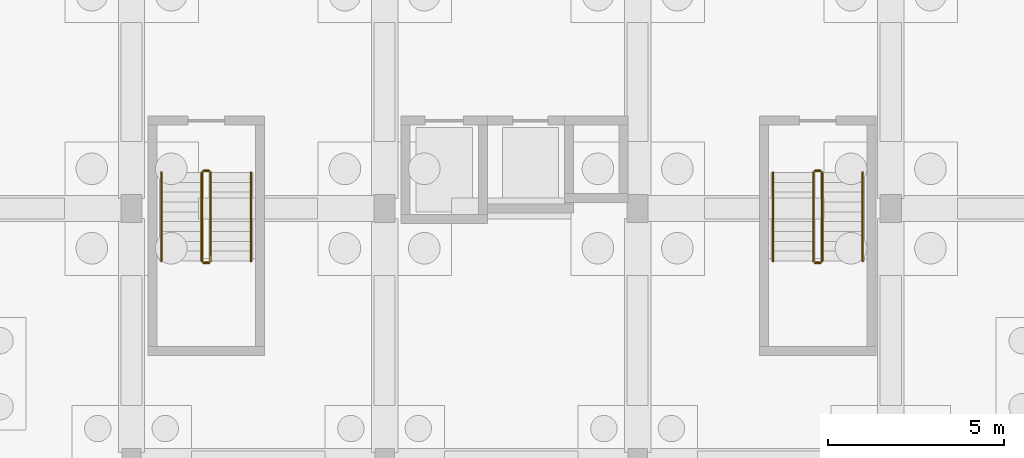
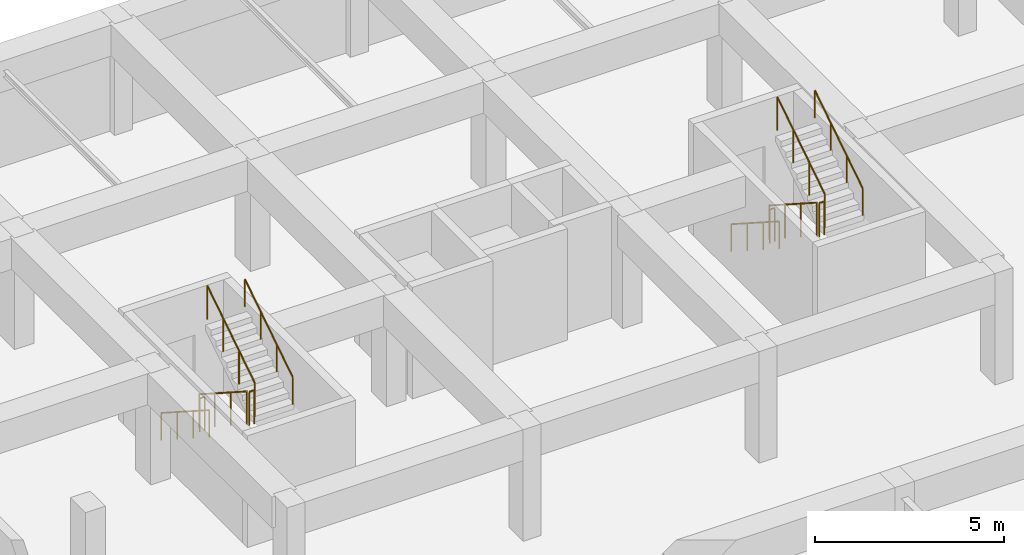
# One storey, part 33 of 36: 12 railings.
"""IFC4 building model written with IfcOpenShell, lengths in metres."""

from ifc_helpers import new_model, si_unit, direction, frame, origin, origin_2d, place, context, subcontext, project, spatial, circle, extrude, material, type_object, element, save


model = new_model("IFC4")

# Units and contexts
model_context = context("Model", 3, precision=1e-05, world=origin(), true_north=direction((0.0, 1.0)))
body_context = subcontext(model_context, "Body", "Model", "MODEL_VIEW")
ifc_project = project(units=[si_unit("LENGTHUNIT", "METRE"), si_unit("AREAUNIT", "SQUARE_METRE"), si_unit("VOLUMEUNIT", "CUBIC_METRE"), si_unit("PLANEANGLEUNIT", "RADIAN"), si_unit("MASSUNIT", "GRAM", prefix="KILO")], contexts=[model_context])

# Site, building, storey
site_placement = place(None, origin())
site = spatial("IfcSite", under=ifc_project, at=site_placement, CompositionType="ELEMENT")
building_placement = place(site_placement, origin())
building = spatial("IfcBuilding", under=site, at=building_placement, Name="Ochrevale Crest", CompositionType="ELEMENT")
storey_placement = place(building_placement, frame((0.0, 0.0, -3.60009765625)))
storey = spatial("IfcBuildingStorey", under=building, at=storey_placement, Name="B1", CompositionType="ELEMENT", Elevation=-3.60009765625)

# Railings
ifc_material_1 = material(Name="Galvanised steel", Category="steel")
railing_type_1 = type_object("IfcRailingType", Name="RL-ST-GUARD", PredefinedType="BALUSTRADE", material=ifc_material_1)
railing_1_placement = place(storey_placement, frame((9.199951171875, 80.22509765625, 0.18017578125)))
element("IfcRailing", 1, at=railing_1_placement, inside=storey, type_object=railing_type_1, Name="B1 ST-B1 stair guard 1", PredefinedType="BALUSTRADE", context=body_context, shape_type="SweptSolid", body=[
    extrude(circle(Radius=0.02392578125, at=origin_2d()), frame((0.0, 0.0, 1.076171875), z_axis=(0.0, -0.841199657755, 0.540724639528), x_axis=(1.0, 0.0, 0.0)), (0.0, 0.0, 1.0), 2.995849609375),
    extrude(circle(Radius=0.02099609375, at=origin_2d()), origin(), (0.0, 0.0, 1.0), 1.052001953125),
    extrude(circle(Radius=0.02099609375, at=origin_2d()), frame((0.0, -0.840087890625, 0.5400390625)), (0.0, 0.0, 1.0), 1.052001953125),
    extrude(circle(Radius=0.02099609375, at=origin_2d()), frame((0.0, -1.679931640625, 1.079833984375)), (0.0, 0.0, 1.0), 1.052001953125),
    extrude(circle(Radius=0.02099609375, at=origin_2d()), frame((0.0, -2.52001953125, 1.619873046875)), (0.0, 0.0, 1.0), 1.052001953125),
])
railing_2_placement = place(storey_placement, frame((9.25, 77.655029296875, 1.800048828125)))
element("IfcRailing", 2, at=railing_2_placement, inside=storey, type_object=railing_type_1, Name="B1 ST-B1 stair guard 2", PredefinedType="BALUSTRADE", context=body_context, shape_type="SweptSolid", body=[
    extrude(circle(Radius=0.02392578125, at=origin_2d()), frame((0.0, 0.0, 1.076171875), z_axis=(1.0, 0.0, 0.0), x_axis=(0.0, 1.0, 0.0)), (0.0, 0.0, 1.0), 0.14990234375),
    extrude(circle(Radius=0.02099609375, at=origin_2d()), origin(), (0.0, 0.0, 1.0), 1.052001953125),
    extrude(circle(Radius=0.02099609375, at=origin_2d()), frame((0.14990234375, 0.0, 0.0)), (0.0, 0.0, 1.0), 1.052001953125),
])
railing_3_placement = place(storey_placement, frame((9.449951171875, 77.705078125, 1.97998046875)))
element("IfcRailing", 3, at=railing_3_placement, inside=storey, type_object=railing_type_1, Name="B1 ST-B1 stair guard 3", PredefinedType="BALUSTRADE", context=body_context, shape_type="SweptSolid", body=[
    extrude(circle(Radius=0.02392578125, at=origin_2d()), frame((0.0, 0.0, 1.076171875), z_axis=(0.0, 0.841162588446, 0.540782303519), x_axis=(-1.0, 0.0, 0.0)), (0.0, 0.0, 1.0), 2.995849609375),
    extrude(circle(Radius=0.02099609375, at=origin_2d()), origin(), (0.0, 0.0, 1.0), 1.052001953125),
    extrude(circle(Radius=0.02099609375, at=origin_2d()), frame((0.0, 0.840087890625, 0.5400390625)), (0.0, 0.0, 1.0), 1.052001953125),
    extrude(circle(Radius=0.02099609375, at=origin_2d()), frame((0.0, 1.679931640625, 1.080078125)), (0.0, 0.0, 1.0), 1.052001953125),
    extrude(circle(Radius=0.02099609375, at=origin_2d()), frame((0.0, 2.52001953125, 1.6201171875)), (0.0, 0.0, 1.0), 1.052001953125),
])
railing_4_placement = place(storey_placement, frame((9.25, 80.27490234375, 0.0)))
element("IfcRailing", 4, at=railing_4_placement, inside=storey, type_object=railing_type_1, Name="B1 ST-B1 stair guard 4", PredefinedType="BALUSTRADE", context=body_context, shape_type="SweptSolid", body=[
    extrude(circle(Radius=0.02392578125, at=origin_2d()), frame((0.0, 0.0, 1.076171875), z_axis=(1.0, 0.0, 0.0), x_axis=(0.0, 1.0, 0.0)), (0.0, 0.0, 1.0), 0.14990234375),
    extrude(circle(Radius=0.02099609375, at=origin_2d()), origin(), (0.0, 0.0, 1.0), 1.052001953125),
    extrude(circle(Radius=0.02099609375, at=origin_2d()), frame((0.14990234375, 0.0, 0.0)), (0.0, 0.0, 1.0), 1.052001953125),
])
railing_5_placement = place(storey_placement, frame((26.60009765625, 80.22509765625, 0.18017578125)))
element("IfcRailing", 5, at=railing_5_placement, inside=storey, type_object=railing_type_1, Name="B1 ST-B2 stair guard 1", PredefinedType="BALUSTRADE", context=body_context, shape_type="SweptSolid", body=[
    extrude(circle(Radius=0.02392578125, at=origin_2d()), frame((0.0, 0.0, 1.076171875), z_axis=(0.0, -0.841199657755, 0.540724639528), x_axis=(1.0, 0.0, 0.0)), (0.0, 0.0, 1.0), 2.995849609375),
    extrude(circle(Radius=0.02099609375, at=origin_2d()), origin(), (0.0, 0.0, 1.0), 1.052001953125),
    extrude(circle(Radius=0.02099609375, at=origin_2d()), frame((0.0, -0.840087890625, 0.5400390625)), (0.0, 0.0, 1.0), 1.052001953125),
    extrude(circle(Radius=0.02099609375, at=origin_2d()), frame((0.0, -1.679931640625, 1.079833984375)), (0.0, 0.0, 1.0), 1.052001953125),
    extrude(circle(Radius=0.02099609375, at=origin_2d()), frame((0.0, -2.52001953125, 1.619873046875)), (0.0, 0.0, 1.0), 1.052001953125),
])
railing_6_placement = place(storey_placement, frame((26.64990234375, 77.655029296875, 1.800048828125)))
element("IfcRailing", 6, at=railing_6_placement, inside=storey, type_object=railing_type_1, Name="B1 ST-B2 stair guard 2", PredefinedType="BALUSTRADE", context=body_context, shape_type="SweptSolid", body=[
    extrude(circle(Radius=0.02392578125, at=origin_2d()), frame((0.0, 0.0, 1.076171875), z_axis=(1.0, 0.0, 0.0), x_axis=(0.0, 1.0, 0.0)), (0.0, 0.0, 1.0), 0.150146484375),
    extrude(circle(Radius=0.02099609375, at=origin_2d()), origin(), (0.0, 0.0, 1.0), 1.052001953125),
    extrude(circle(Radius=0.02099609375, at=origin_2d()), frame((0.150146484375, 0.0, 0.0)), (0.0, 0.0, 1.0), 1.052001953125),
])
railing_7_placement = place(storey_placement, frame((26.85009765625, 77.705078125, 1.97998046875)))
element("IfcRailing", 7, at=railing_7_placement, inside=storey, type_object=railing_type_1, Name="B1 ST-B2 stair guard 3", PredefinedType="BALUSTRADE", context=body_context, shape_type="SweptSolid", body=[
    extrude(circle(Radius=0.02392578125, at=origin_2d()), frame((0.0, 0.0, 1.076171875), z_axis=(0.0, 0.841162588446, 0.540782303519), x_axis=(-1.0, 0.0, 0.0)), (0.0, 0.0, 1.0), 2.995849609375),
    extrude(circle(Radius=0.02099609375, at=origin_2d()), origin(), (0.0, 0.0, 1.0), 1.052001953125),
    extrude(circle(Radius=0.02099609375, at=origin_2d()), frame((0.0, 0.840087890625, 0.5400390625)), (0.0, 0.0, 1.0), 1.052001953125),
    extrude(circle(Radius=0.02099609375, at=origin_2d()), frame((0.0, 1.679931640625, 1.080078125)), (0.0, 0.0, 1.0), 1.052001953125),
    extrude(circle(Radius=0.02099609375, at=origin_2d()), frame((0.0, 2.52001953125, 1.6201171875)), (0.0, 0.0, 1.0), 1.052001953125),
])
railing_8_placement = place(storey_placement, frame((26.64990234375, 80.27490234375, 0.0)))
element("IfcRailing", 8, at=railing_8_placement, inside=storey, type_object=railing_type_1, Name="B1 ST-B2 stair guard 4", PredefinedType="BALUSTRADE", context=body_context, shape_type="SweptSolid", body=[
    extrude(circle(Radius=0.02392578125, at=origin_2d()), frame((0.0, 0.0, 1.076171875), z_axis=(1.0, 0.0, 0.0), x_axis=(0.0, 1.0, 0.0)), (0.0, 0.0, 1.0), 0.150146484375),
    extrude(circle(Radius=0.02099609375, at=origin_2d()), origin(), (0.0, 0.0, 1.0), 1.052001953125),
    extrude(circle(Radius=0.02099609375, at=origin_2d()), frame((0.150146484375, 0.0, 0.0)), (0.0, 0.0, 1.0), 1.052001953125),
])
ifc_material_2 = material(Name="Stainless steel", Category="steel")
railing_type_2 = type_object("IfcRailingType", Name="RL-ST-HRAIL", PredefinedType="HANDRAIL", material=ifc_material_2)
railing_9_placement = place(storey_placement, frame((8.050048828125, 80.22509765625, 0.18017578125)))
element("IfcRailing", 9, at=railing_9_placement, inside=storey, type_object=railing_type_2, Name="B1 ST-B1 stair handrail 1", PredefinedType="HANDRAIL", context=body_context, shape_type="SweptSolid", body=[
    extrude(circle(Radius=0.02392578125, at=origin_2d()), frame((0.0, 0.0, 0.8759765625), z_axis=(0.0, -0.841199657755, 0.540724639528), x_axis=(1.0, 0.0, 0.0)), (0.0, 0.0, 1.0), 2.995849609375),
    extrude(circle(Radius=0.02099609375, at=origin_2d()), origin(), (0.0, 0.0, 1.0), 0.851806640625),
    extrude(circle(Radius=0.02099609375, at=origin_2d()), frame((0.0, -0.840087890625, 0.5400390625)), (0.0, 0.0, 1.0), 0.851806640625),
    extrude(circle(Radius=0.02099609375, at=origin_2d()), frame((0.0, -1.679931640625, 1.079833984375)), (0.0, 0.0, 1.0), 0.851806640625),
    extrude(circle(Radius=0.02099609375, at=origin_2d()), frame((0.0, -2.52001953125, 1.619873046875)), (0.0, 0.0, 1.0), 0.851806640625),
])
railing_10_placement = place(storey_placement, frame((10.60009765625, 77.705078125, 1.97998046875)))
element("IfcRailing", 10, at=railing_10_placement, inside=storey, type_object=railing_type_2, Name="B1 ST-B1 stair handrail 2", PredefinedType="HANDRAIL", context=body_context, shape_type="SweptSolid", body=[
    extrude(circle(Radius=0.02392578125, at=origin_2d()), frame((0.0, 0.0, 0.8759765625), z_axis=(0.0, 0.841162588446, 0.540782303519), x_axis=(-1.0, 0.0, 0.0)), (0.0, 0.0, 1.0), 2.995849609375),
    extrude(circle(Radius=0.02099609375, at=origin_2d()), origin(), (0.0, 0.0, 1.0), 0.851806640625),
    extrude(circle(Radius=0.02099609375, at=origin_2d()), frame((0.0, 0.840087890625, 0.5400390625)), (0.0, 0.0, 1.0), 0.851806640625),
    extrude(circle(Radius=0.02099609375, at=origin_2d()), frame((0.0, 1.679931640625, 1.080078125)), (0.0, 0.0, 1.0), 0.851806640625),
    extrude(circle(Radius=0.02099609375, at=origin_2d()), frame((0.0, 2.52001953125, 1.6201171875)), (0.0, 0.0, 1.0), 0.851806640625),
])
railing_11_placement = place(storey_placement, frame((25.449951171875, 80.22509765625, 0.18017578125)))
element("IfcRailing", 11, at=railing_11_placement, inside=storey, type_object=railing_type_2, Name="B1 ST-B2 stair handrail 1", PredefinedType="HANDRAIL", context=body_context, shape_type="SweptSolid", body=[
    extrude(circle(Radius=0.02392578125, at=origin_2d()), frame((0.0, 0.0, 0.8759765625), z_axis=(0.0, -0.841199657755, 0.540724639528), x_axis=(1.0, 0.0, 0.0)), (0.0, 0.0, 1.0), 2.995849609375),
    extrude(circle(Radius=0.02099609375, at=origin_2d()), origin(), (0.0, 0.0, 1.0), 0.851806640625),
    extrude(circle(Radius=0.02099609375, at=origin_2d()), frame((0.0, -0.840087890625, 0.5400390625)), (0.0, 0.0, 1.0), 0.851806640625),
    extrude(circle(Radius=0.02099609375, at=origin_2d()), frame((0.0, -1.679931640625, 1.079833984375)), (0.0, 0.0, 1.0), 0.851806640625),
    extrude(circle(Radius=0.02099609375, at=origin_2d()), frame((0.0, -2.52001953125, 1.619873046875)), (0.0, 0.0, 1.0), 0.851806640625),
])
railing_12_placement = place(storey_placement, frame((28.0, 77.705078125, 1.97998046875)))
element("IfcRailing", 12, at=railing_12_placement, inside=storey, type_object=railing_type_2, Name="B1 ST-B2 stair handrail 2", PredefinedType="HANDRAIL", context=body_context, shape_type="SweptSolid", body=[
    extrude(circle(Radius=0.02392578125, at=origin_2d()), frame((0.0, 0.0, 0.8759765625), z_axis=(0.0, 0.841162588446, 0.540782303519), x_axis=(-1.0, 0.0, 0.0)), (0.0, 0.0, 1.0), 2.995849609375),
    extrude(circle(Radius=0.02099609375, at=origin_2d()), origin(), (0.0, 0.0, 1.0), 0.851806640625),
    extrude(circle(Radius=0.02099609375, at=origin_2d()), frame((0.0, 0.840087890625, 0.5400390625)), (0.0, 0.0, 1.0), 0.851806640625),
    extrude(circle(Radius=0.02099609375, at=origin_2d()), frame((0.0, 1.679931640625, 1.080078125)), (0.0, 0.0, 1.0), 0.851806640625),
    extrude(circle(Radius=0.02099609375, at=origin_2d()), frame((0.0, 2.52001953125, 1.6201171875)), (0.0, 0.0, 1.0), 0.851806640625),
])

save(model, "model.ifc")
